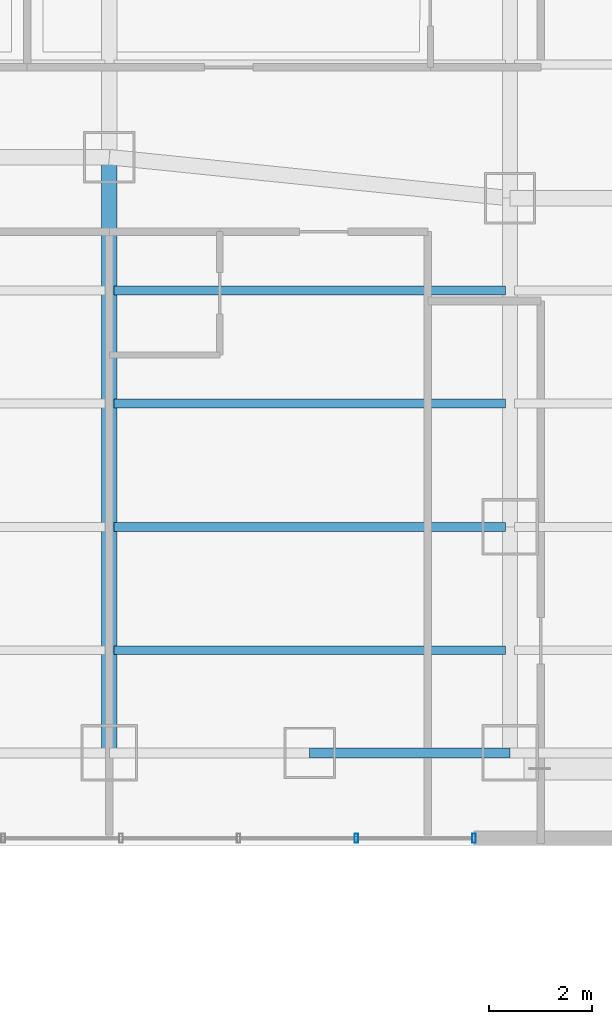
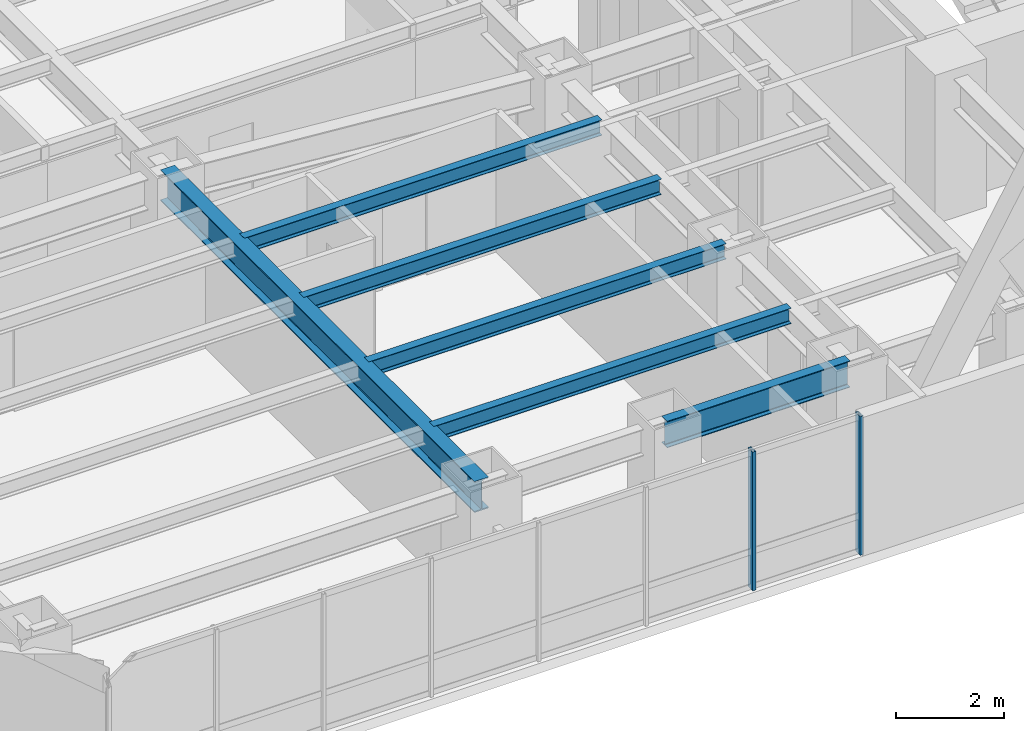
# One storey, part 6 of 33: 6 beams, 2 members, 1 element without a shape of its own.
"""IFC4 building model written with IfcOpenShell, lengths in metres."""

from ifc_helpers import new_model, si_unit, direction, frame, origin, origin_2d, place, context, subcontext, project, spatial, hollow_rectangle, i_section, extrude, material, layer, layer_set, material_profile, profile_set, type_object, element, aggregate, save


model = new_model("IFC4")

# Units and contexts
model_context = context("Model", 3, precision=1e-05, world=origin(), true_north=direction((0.0, 1.0)))
body_context = subcontext(model_context, "Body", "Model", "MODEL_VIEW")
ifc_project = project(units=[si_unit("LENGTHUNIT", "METRE"), si_unit("AREAUNIT", "SQUARE_METRE"), si_unit("VOLUMEUNIT", "CUBIC_METRE"), si_unit("PLANEANGLEUNIT", "RADIAN"), si_unit("MASSUNIT", "GRAM", prefix="KILO")], contexts=[model_context])

# Site, building, storey
site_placement = place(None, origin())
site = spatial("IfcSite", under=ifc_project, at=site_placement, CompositionType="ELEMENT")
building_placement = place(site_placement, origin())
building = spatial("IfcBuilding", under=site, at=building_placement, Name="Hatsunagi Terrace Concourse", CompositionType="ELEMENT")
storey_placement = place(building_placement, frame((0.0, 0.0, 53.35009765625)))
storey = spatial("IfcBuildingStorey", under=building, at=storey_placement, Name="L13", CompositionType="ELEMENT", Elevation=53.35009765625)

# Curtain wall, members
ifc_material_1 = material(Name="Anodised Aluminium Alloy 6063-T5", Category="aluminium")
ifc_layer = layer(ifc_material_1, 0.199951171875)
ifc_layer_set = layer_set([ifc_layer], Name="HotelFacade_CW02")
curtain_wall_type = type_object("IfcCurtainWallType", Name="HotelFacade_CW02", PredefinedType="NOTDEFINED", material=ifc_layer_set)
curtain_wall_placement = place(storey_placement, origin())
curtain_wall = element("IfcCurtainWall", 1, at=curtain_wall_placement, inside=storey, type_object=curtain_wall_type, Name="Unitised Curtain Wall CW-02 CW-L13-07", PredefinedType="NOTDEFINED")
ifc_material_2 = material(Name="Anodised Aluminium Alloy 6063-T5", Category="aluminium")
ifc_material_profile_1 = material_profile(ifc_material_2, hollow_rectangle(XDim=0.070068359375, YDim=0.179931640625, WallThickness=0.00390625, at=origin_2d()), Name="ALU-MUL-180x70x4")
ifc_profile_set_1 = profile_set([ifc_material_profile_1], Name="Anodised Aluminium Alloy 6063-T5")
member_type = type_object("IfcMemberType", Name="CurtainWallMullion_180x70", PredefinedType="MULLION", material=ifc_profile_set_1)
member_1_placement = place(storey_placement, frame((18.5, 23.5400390625, 0.0), z_axis=(0.0, 0.0, 1.0), x_axis=(-1.0, 0.0, 0.0)))
member_1 = element("IfcMember", 2, at=member_1_placement, type_object=member_type, Name="Curtain Wall Mullion MUL-02", PredefinedType="MULLION", context=body_context, shape_type="SweptSolid", body=[
    extrude(hollow_rectangle(XDim=0.070068359375, YDim=0.179931640625, WallThickness=0.00390625, at=origin_2d()), origin(), (0.0, 0.0, 1.0), 3.1298828125),
])
member_2_placement = place(storey_placement, frame((16.2080078125, 23.5400390625, 0.0), z_axis=(0.0, 0.0, 1.0), x_axis=(-1.0, 0.0, 0.0)))
member_2 = element("IfcMember", 3, at=member_2_placement, type_object=member_type, Name="Curtain Wall Mullion MUL-02", PredefinedType="MULLION", context=body_context, shape_type="SweptSolid", body=[
    extrude(hollow_rectangle(XDim=0.070068359375, YDim=0.179931640625, WallThickness=0.00390625, at=origin_2d()), origin(), (0.0, 0.0, 1.0), 3.1298828125),
])
aggregate(curtain_wall, [member_1, member_2])

# Beams
ifc_material_3 = material(Name="Steel SN490B", Category="steel")
ifc_material_profile_2 = material_profile(ifc_material_3, i_section(OverallWidth=0.300048828125, OverallDepth=0.699951171875, WebThickness=0.012939453125, FlangeThickness=0.02392578125, FilletRadius=0.02197265625, at=origin_2d()), Name="H-700x300x13x24")
ifc_profile_set_2 = profile_set([ifc_material_profile_2], Name="Steel SN490B")
beam_type_1 = type_object("IfcBeamType", Name="HotelFloorGirder_H_700x300", PredefinedType="BEAM", material=ifc_profile_set_2)
beam_1_placement = place(storey_placement, frame((11.39990234375, 25.199951171875, 2.77978515625), z_axis=(0.0, 1.0, 0.0), x_axis=(-1.0, 0.0, 0.0)))
element("IfcBeam", 4, at=beam_1_placement, inside=storey, type_object=beam_type_1, Name="Beam G-04 BM-L13-NS-11-25", PredefinedType="BEAM", context=body_context, shape_type="SweptSolid", body=[
    extrude(i_section(OverallWidth=0.300048828125, OverallDepth=0.699951171875, WebThickness=0.012939453125, FlangeThickness=0.02392578125, FilletRadius=0.02197265625, at=origin_2d()), origin(), (0.0, 0.0, 1.0), 11.60009765625),
])
ifc_material_4 = material(Name="Steel SN490B", Category="steel")
ifc_material_profile_3 = material_profile(ifc_material_4, i_section(OverallWidth=0.175048828125, OverallDepth=0.35009765625, WebThickness=0.007080078125, FlangeThickness=0.010986328125, FilletRadius=0.012939453125, at=origin_2d()), Name="H-350x175x7x11")
ifc_profile_set_3 = profile_set([ifc_material_profile_3], Name="Steel SN490B")
beam_type_2 = type_object("IfcBeamType", Name="HotelJoist_H_350x175", PredefinedType="JOIST", material=ifc_profile_set_3)
for number, where, z_axis, x_axis, name in (
    (5, (11.485107421875, 27.199951171875, 2.954833984375), (1.0, 0.0, 0.0), (0.0, 1.0, 0.0), "Beam J-02 J-L13-W-11-272"),
    (6, (11.485107421875, 29.60009765625, 2.954833984375), (1.0, 0.0, 0.0), (0.0, 1.0, 0.0), "Beam J-02 J-L13-W-11-296"),
    (7, (11.485107421875, 32.0, 2.954833984375), (1.0, 0.0, 0.0), (0.0, 1.0, 0.0), "Beam J-02 J-L13-W-11-320"),
    (8, (11.485107421875, 34.199951171875, 2.954833984375), (1.0, 0.0, 0.0), (0.0, 1.0, 0.0), "Beam J-02 J-L13-W-11-342"),
):
    element("IfcBeam", number, at=place(storey_placement, frame(where, z_axis=z_axis, x_axis=x_axis)), inside=storey, type_object=beam_type_2, Name=name, PredefinedType="JOIST", context=body_context, shape_type="SweptSolid", body=[
        extrude(i_section(OverallWidth=0.175048828125, OverallDepth=0.35009765625, WebThickness=0.007080078125, FlangeThickness=0.010986328125, FilletRadius=0.012939453125, at=origin_2d()), origin(), (0.0, 0.0, 1.0), 7.6298828125),
    ])
ifc_material_5 = material(Name="Steel SN490B", Category="steel")
ifc_material_profile_4 = material_profile(ifc_material_5, i_section(OverallWidth=0.199951171875, OverallDepth=0.60009765625, WebThickness=0.010986328125, FlangeThickness=0.01708984375, FilletRadius=0.01806640625, at=origin_2d()), Name="H-600x200x11x17")
ifc_profile_set_4 = profile_set([ifc_material_profile_4], Name="Steel SN490B")
beam_type_3 = type_object("IfcBeamType", Name="PerimeterSpandrel_H_600x200", PredefinedType="SPANDREL", material=ifc_profile_set_4)
beam_2_placement = place(storey_placement, frame((15.300048828125, 25.199951171875, 2.829833984375), z_axis=(1.0, 0.0, 0.0), x_axis=(0.0, 1.0, 0.0)))
element("IfcBeam", 9, at=beam_2_placement, inside=storey, type_object=beam_type_3, Name="Beam SP-01 BM-L13-WS-15", PredefinedType="SPANDREL", context=body_context, shape_type="SweptSolid", body=[
    extrude(i_section(OverallWidth=0.199951171875, OverallDepth=0.60009765625, WebThickness=0.010986328125, FlangeThickness=0.01708984375, FilletRadius=0.01806640625, at=origin_2d()), origin(), (0.0, 0.0, 1.0), 3.89990234375),
])

save(model, "model.ifc")
